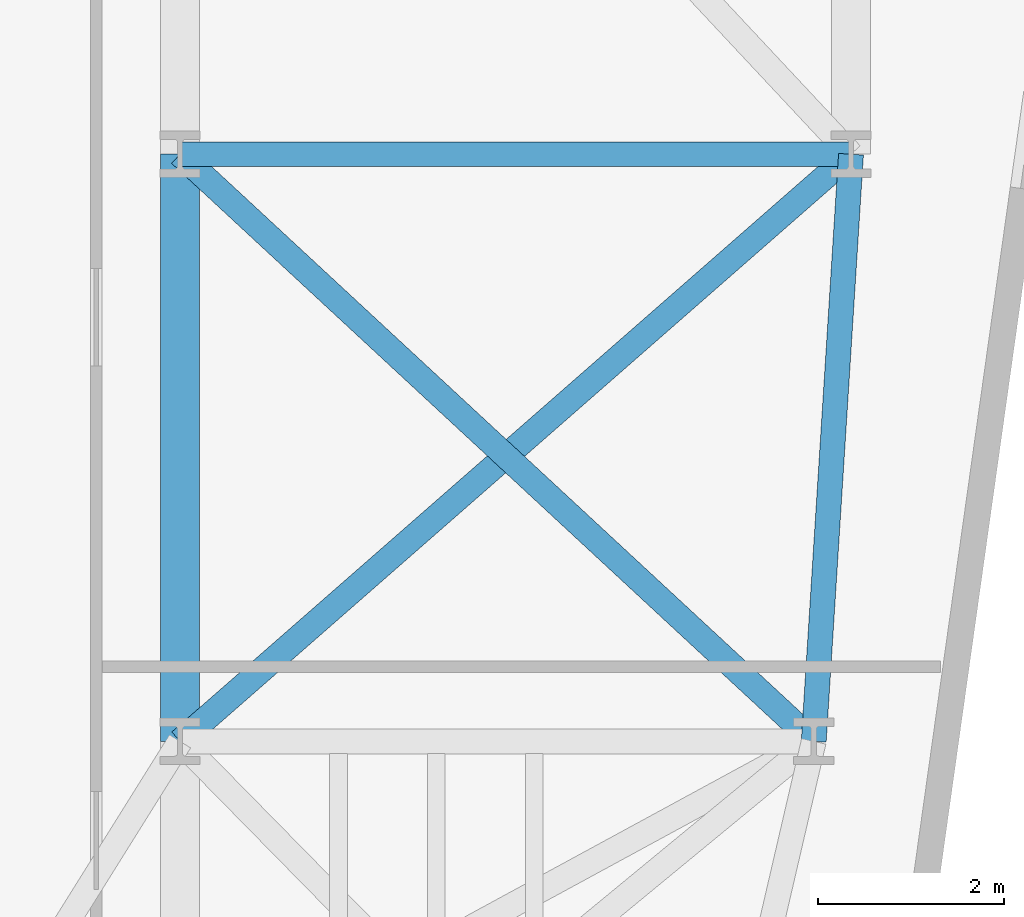
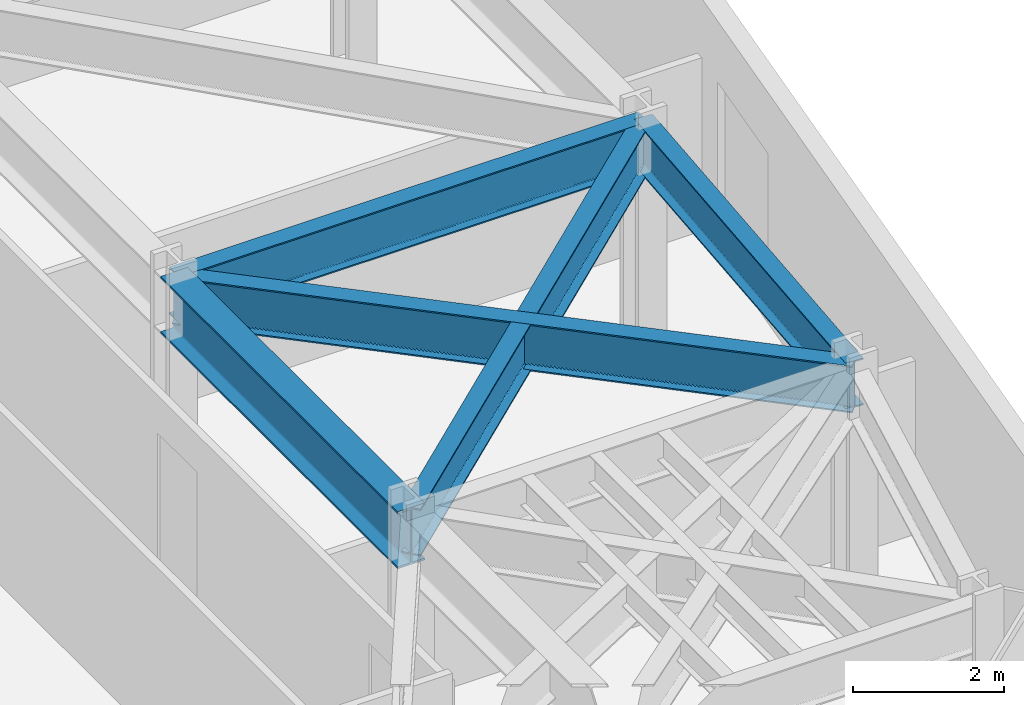
# One storey, part 14 of 25: 5 beams.
"""IFC4 building model written with IfcOpenShell, lengths in metres."""

from ifc_helpers import new_model, si_unit, direction, frame, origin, origin_2d, place, context, subcontext, project, spatial, i_section, extrude, material, material_profile, profile_set, type_object, element, save


model = new_model("IFC4")

# Units and contexts
model_context = context("Model", 3, precision=1e-05, world=origin(), true_north=direction((0.0, 1.0)))
body_context = subcontext(model_context, "Body", "Model", "MODEL_VIEW")
ifc_project = project(units=[si_unit("LENGTHUNIT", "METRE"), si_unit("AREAUNIT", "SQUARE_METRE"), si_unit("VOLUMEUNIT", "CUBIC_METRE"), si_unit("PLANEANGLEUNIT", "RADIAN"), si_unit("MASSUNIT", "GRAM", prefix="KILO")], contexts=[model_context])

# Site, building, storey
site_placement = place(None, origin())
site = spatial("IfcSite", under=ifc_project, at=site_placement, CompositionType="ELEMENT")
building_placement = place(site_placement, origin())
building = spatial("IfcBuilding", under=site, at=building_placement, Name="Kravanh Interchange Tower", CompositionType="ELEMENT")
storey_placement = place(building_placement, frame((0.0, 0.0, 65.5)))
storey = spatial("IfcBuildingStorey", under=building, at=storey_placement, Name="L15", CompositionType="ELEMENT", Elevation=65.5)

# Beams
ifc_material_1 = material(Name="Structural Steel S355", Category="steel")
ifc_material_profile_1 = material_profile(ifc_material_1, i_section(OverallWidth=0.41796875, OverallDepth=0.927001953125, WebThickness=0.019287109375, FlangeThickness=0.031982421875, FilletRadius=0.028076171875, at=origin_2d()), Name="W36X231")
ifc_profile_set_1 = profile_set([ifc_material_profile_1], Name="Structural Steel S355")
beam_type_1 = type_object("IfcBeamType", Name="Floor Beam W36X231 Structural Steel S355", PredefinedType="BEAM", material=ifc_profile_set_1)
beam_1_placement = place(storey_placement, frame((56.0, 14.5, 3.276611328125), z_axis=(0.0, -1.0, 0.0), x_axis=(1.0, 0.0, 0.0)))
element("IfcBeam", 1, at=beam_1_placement, inside=storey, type_object=beam_type_1, Name="L15 Primary Floor Girder 42", PredefinedType="BEAM", context=body_context, shape_type="SweptSolid", body=[
    extrude(i_section(OverallWidth=0.41796875, OverallDepth=0.927001953125, WebThickness=0.019287109375, FlangeThickness=0.031982421875, FilletRadius=0.028076171875, at=origin_2d()), origin(), (0.0, 0.0, 1.0), 6.300048828125),
])
ifc_material_2 = material(Name="Structural Steel S355", Category="steel")
ifc_material_profile_2 = material_profile(ifc_material_2, i_section(OverallWidth=0.26708984375, OverallDepth=0.761962890625, WebThickness=0.014404296875, FlangeThickness=0.021484375, FilletRadius=0.02490234375, at=origin_2d()), Name="W30X116")
ifc_profile_set_2 = profile_set([ifc_material_profile_2], Name="Structural Steel S355")
beam_type_2 = type_object("IfcBeamType", Name="Floor Spandrel W30X116 Structural Steel S355", PredefinedType="SPANDREL", material=ifc_profile_set_2)
beam_2_placement = place(storey_placement, frame((56.0, 14.5, 3.35888671875), z_axis=(1.0, 0.0, 0.0), x_axis=(0.0, 1.0, 0.0)))
element("IfcBeam", 2, at=beam_2_placement, inside=storey, type_object=beam_type_2, Name="L15 Perimeter Spandrel 43", PredefinedType="SPANDREL", context=body_context, shape_type="SweptSolid", body=[
    extrude(i_section(OverallWidth=0.26708984375, OverallDepth=0.761962890625, WebThickness=0.014404296875, FlangeThickness=0.021484375, FilletRadius=0.02490234375, at=origin_2d()), origin(), (0.0, 0.0, 1.0), 7.199951171875),
])
beam_3_placement = place(storey_placement, frame((56.0, 14.5, 3.35888671875), z_axis=(0.733561267923, -0.679623326706, 0.0), x_axis=(0.679623326706, 0.733561267923, 0.0)))
element("IfcBeam", 3, at=beam_3_placement, inside=storey, type_object=beam_type_2, Name="L15 Perimeter Spandrel 45", PredefinedType="SPANDREL", context=body_context, shape_type="SweptSolid", body=[
    extrude(i_section(OverallWidth=0.26708984375, OverallDepth=0.761962890625, WebThickness=0.014404296875, FlangeThickness=0.021484375, FilletRadius=0.02490234375, at=origin_2d()), origin(), (0.0, 0.0, 1.0), 9.27001953125),
])
beam_4_placement = place(storey_placement, frame((63.199951171875, 14.5, 3.35888671875), z_axis=(-0.063348576418, -0.99799146182, 0.0), x_axis=(0.99799146182, -0.063348576418, 0.0)))
element("IfcBeam", 4, at=beam_4_placement, inside=storey, type_object=beam_type_2, Name="L15 Perimeter Spandrel 46", PredefinedType="SPANDREL", context=body_context, shape_type="SweptSolid", body=[
    extrude(i_section(OverallWidth=0.26708984375, OverallDepth=0.761962890625, WebThickness=0.014404296875, FlangeThickness=0.021484375, FilletRadius=0.02490234375, at=origin_2d()), origin(), (0.0, 0.0, 1.0), 6.312744140625),
])
beam_5_placement = place(storey_placement, frame((63.199951171875, 14.5, 3.35888671875), z_axis=(-0.752571952274, -0.658510027752, 0.0), x_axis=(0.658510027752, -0.752571952274, 0.0)))
element("IfcBeam", 5, at=beam_5_placement, inside=storey, type_object=beam_type_2, Name="L15 Perimeter Spandrel 48", PredefinedType="SPANDREL", context=body_context, shape_type="SweptSolid", body=[
    extrude(i_section(OverallWidth=0.26708984375, OverallDepth=0.761962890625, WebThickness=0.014404296875, FlangeThickness=0.021484375, FilletRadius=0.02490234375, at=origin_2d()), origin(), (0.0, 0.0, 1.0), 9.567138671875),
])

save(model, "model.ifc")
